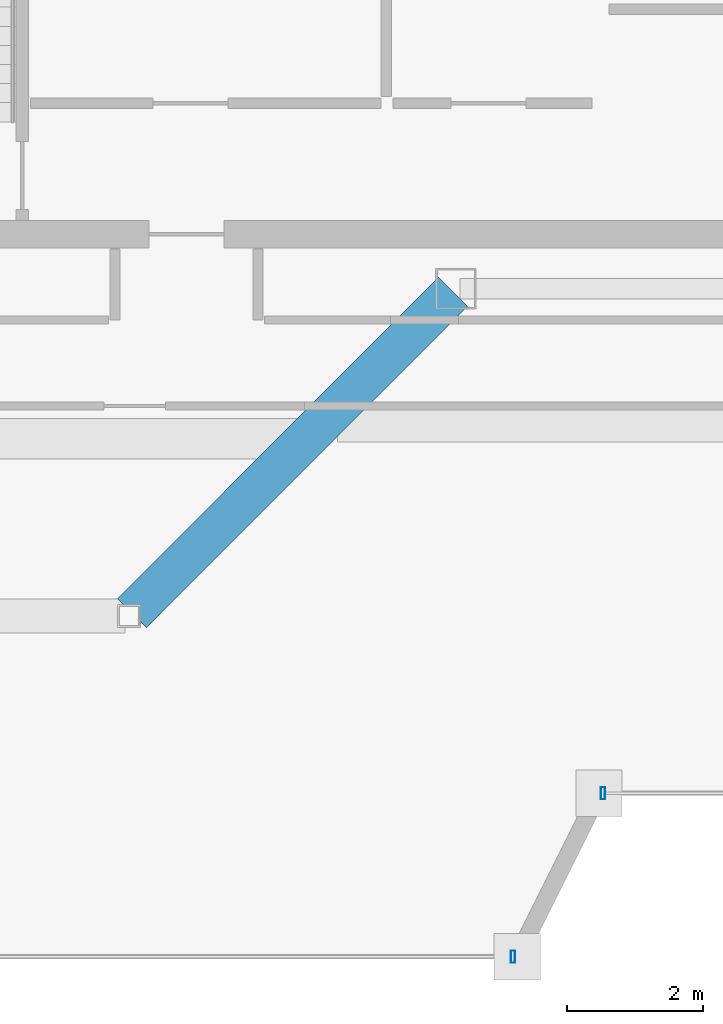
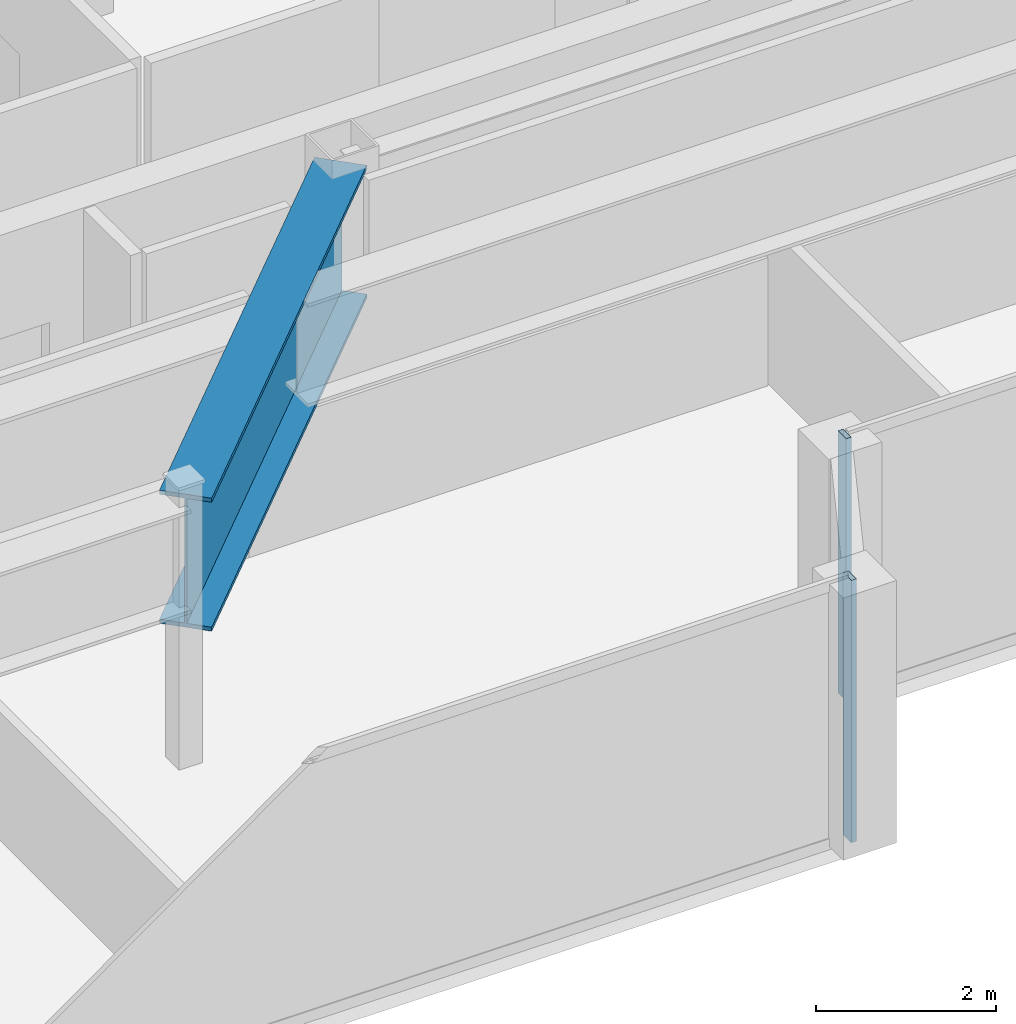
# One storey, part 6 of 24: 2 members, 1 beam, 2 elements without a shape of their own.
"""IFC4 building model written with IfcOpenShell, lengths in metres."""

from ifc_helpers import new_model, si_unit, direction, frame, origin, origin_2d, place, context, subcontext, project, spatial, hollow_rectangle, i_section, extrude, material, material_profile, profile_set, type_object, element, aggregate, save


model = new_model("IFC4")

# Units and contexts
model_context = context("Model", 3, precision=1e-05, world=origin(), true_north=direction((0.0, 1.0)))
body_context = subcontext(model_context, "Body", "Model", "MODEL_VIEW")
ifc_project = project(units=[si_unit("LENGTHUNIT", "METRE"), si_unit("AREAUNIT", "SQUARE_METRE"), si_unit("VOLUMEUNIT", "CUBIC_METRE"), si_unit("PLANEANGLEUNIT", "RADIAN"), si_unit("MASSUNIT", "GRAM", prefix="KILO")], contexts=[model_context])

# Site, building, storey
site_placement = place(None, origin())
site = spatial("IfcSite", under=ifc_project, at=site_placement, CompositionType="ELEMENT")
building_placement = place(site_placement, origin())
building = spatial("IfcBuilding", under=site, at=building_placement, Name="Saevonmaru Cultural Tower", CompositionType="ELEMENT")
storey_placement = place(building_placement, frame((0.0, 0.0, 306.60009765625)))
storey = spatial("IfcBuildingStorey", under=building, at=storey_placement, Name="L73", CompositionType="ELEMENT", Elevation=306.60009765625)

# Beam
ifc_material_1 = material(Name="Steel HSA600 (600 MPa)", Category="steel")
ifc_material_profile_1 = material_profile(ifc_material_1, i_section(OverallWidth=0.60009765625, OverallDepth=1.800048828125, WebThickness=0.028076171875, FlangeThickness=0.054931640625, at=origin_2d()), Name="PG-1800x600x28x55")
ifc_profile_set_1 = profile_set([ifc_material_profile_1], Name="Steel HSA600 (600 MPa)")
beam_type = type_object("IfcBeamType", Name="BM-TG-PG1800", PredefinedType="BEAM", material=ifc_profile_set_1)
beam_placement = place(storey_placement, frame((18.850341796875, 37.642578125, 2.64990234375), z_axis=(0.706538566564, 0.707674539572, 0.0), x_axis=(-0.707674539572, 0.706538566564, 0.0)))
element("IfcBeam", 1, at=beam_placement, inside=storey, type_object=beam_type, Name="L73 West Atrium Girder 1", PredefinedType="BEAM", context=body_context, shape_type="SweptSolid", body=[
    extrude(i_section(OverallWidth=0.60009765625, OverallDepth=1.800048828125, WebThickness=0.028076171875, FlangeThickness=0.054931640625, at=origin_2d()), origin(), (0.0, 0.0, 1.0), 6.662353515625),
])

# Curtain wall, member
ifc_material_2 = material(Name="Satin Bronze Anodised Aluminium", Category="aluminium")
curtain_wall_type = type_object("IfcCurtainWallType", Name="CW-TYP-B", PredefinedType="NOTDEFINED", material=ifc_material_2)
curtain_wall_1_placement = place(storey_placement, origin())
curtain_wall_1 = element("IfcCurtainWall", 2, at=curtain_wall_1_placement, inside=storey, type_object=curtain_wall_type, Name="L73 Unitised Curtain Wall E2", PredefinedType="NOTDEFINED")
ifc_material_profile_2 = material_profile(ifc_material_2, hollow_rectangle(XDim=0.06494140625, YDim=0.179931640625, WallThickness=0.00390625, at=origin_2d()), Name="ALU-MULL-180x65x4")
ifc_profile_set_2 = profile_set([ifc_material_profile_2], Name="Satin Bronze Anodised Aluminium")
member_type = type_object("IfcMemberType", Name="ML-CW-180x65", PredefinedType="MULLION", material=ifc_profile_set_2)
member_1_placement = place(storey_placement, frame((24.43994140625, 32.60009765625, 0.0), z_axis=(0.0, 0.0, 1.0), x_axis=(1.0, 0.0, 0.0)))
member_1 = element("IfcMember", 3, at=member_1_placement, type_object=member_type, Name="CW-TW-L73-E2 mullion 2", PredefinedType="MULLION", context=body_context, shape_type="SweptSolid", body=[
    extrude(hollow_rectangle(XDim=0.06494140625, YDim=0.179931640625, WallThickness=0.00390625, at=origin_2d()), origin(), (0.0, 0.0, 1.0), 3.5498046875),
])
aggregate(curtain_wall_1, [member_1])

curtain_wall_2_placement = place(storey_placement, origin())
curtain_wall_2 = element("IfcCurtainWall", 4, at=curtain_wall_2_placement, inside=storey, type_object=curtain_wall_type, Name="L73 Unitised Curtain Wall E4", PredefinedType="NOTDEFINED")
member_2_placement = place(storey_placement, frame((25.760009765625, 35.0, 0.0), z_axis=(0.0, 0.0, 1.0), x_axis=(1.0, 0.0, 0.0)))
member_2 = element("IfcMember", 5, at=member_2_placement, type_object=member_type, Name="CW-TW-L73-E4 mullion 1", PredefinedType="MULLION", context=body_context, shape_type="SweptSolid", body=[
    extrude(hollow_rectangle(XDim=0.06494140625, YDim=0.179931640625, WallThickness=0.00390625, at=origin_2d()), origin(), (0.0, 0.0, 1.0), 3.5498046875),
])
aggregate(curtain_wall_2, [member_2])

save(model, "model.ifc")
